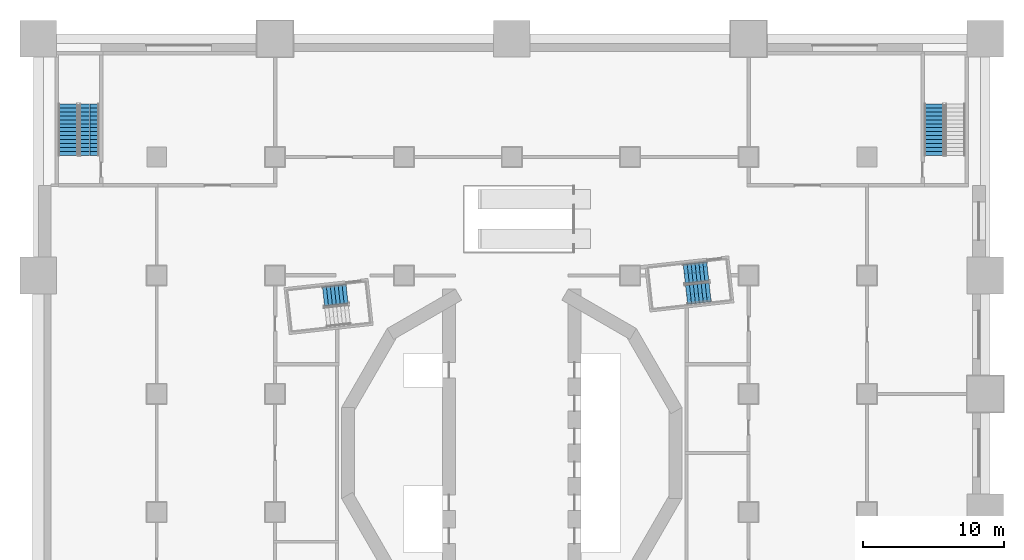
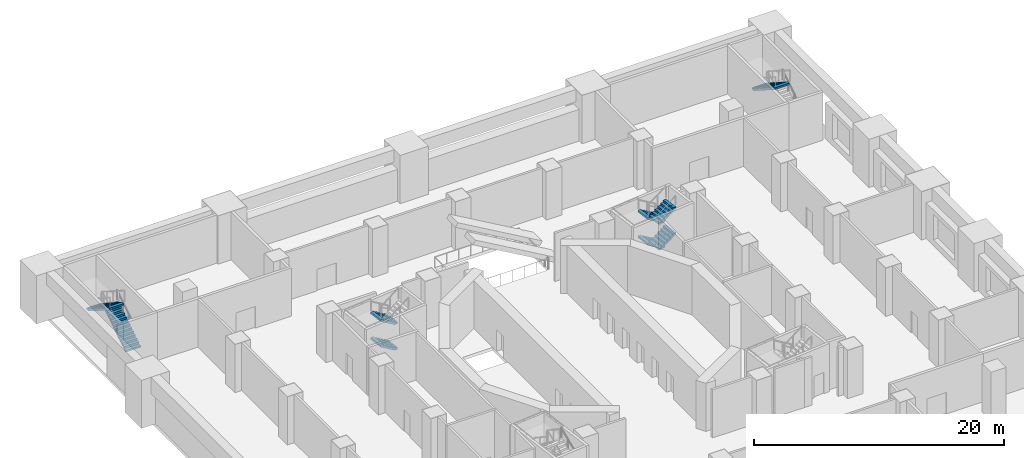
# One storey, part 7 of 18: 9 stair flights, 4 elements without a shape of their own.
"""IFC4 building model written with IfcOpenShell, lengths in metres."""

import ifcopenshell
import ifcopenshell.guid

model = None  # the IFC model being written
_history = None  # IfcOwnerHistory: only IFC2X3 demands one
_inside = {}  # id of a spatial element -> (the spatial element, [elements in it])
_under = {}  # id of a project, library or spatial element -> (it, [spatial elements below it])
_declared = {}  # id of a project -> (the project, [libraries it declares])
_typed = {}  # id of a type object -> (the type object, [elements of that type])
_made_of = {}  # id of a material, layer set ... -> (it, [elements and type objects made of it])


def new_model(schema):
    """Start an empty IFC model of exactly this schema.

    Asked for "IFC4X3", IfcOpenShell would pick the latest addendum, in which some entities
    have other attributes; the version numbers below select the first issue.
    IFC2X3 requires an IfcOwnerHistory on every rooted entity: one is made here for all.
    """
    global model, _history
    if schema == "IFC4X3":
        model = ifcopenshell.file(schema_version=(4, 3, 0, 0))
    else:
        model = ifcopenshell.file(schema=schema)
    _inside.clear()
    _under.clear()
    _declared.clear()
    _typed.clear()
    _made_of.clear()
    _history = None
    if model.schema == "IFC2X3":
        org = make("IfcOrganization", Name="unknown")
        user = make(
            "IfcPersonAndOrganization",
            ThePerson=make("IfcPerson", FamilyName="unknown"),
            TheOrganization=org,
        )
        app = make(
            "IfcApplication",
            ApplicationDeveloper=org,
            Version="unknown",
            ApplicationFullName="unknown",
            ApplicationIdentifier="unknown",
        )
        _history = make(
            "IfcOwnerHistory",
            OwningUser=user,
            OwningApplication=app,
            ChangeAction="ADDED",
            CreationDate=0,
        )
    return model


def make(cls, **values):
    """One entity of the class cls with the attributes given. An attribute that is None is left unset."""
    return model.create_entity(
        cls, **{name: value for name, value in values.items() if value is not None}
    )


def rooted(cls, **values):
    """An entity with a GlobalId (a new one), such as an element, a storey or a relation."""
    return make(cls, GlobalId=ifcopenshell.guid.new(), OwnerHistory=_history, **values)


def si_unit(unit_type, name, prefix=None):
    """IfcSIUnit, for example si_unit("LENGTHUNIT", "METRE", prefix="MILLI")."""
    return make("IfcSIUnit", UnitType=unit_type, Prefix=prefix, Name=name)


def assignment(units):
    """IfcUnitAssignment: the units of a project."""
    return None if units is None else make("IfcUnitAssignment", Units=units)


def point(xyz):
    """IfcCartesianPoint."""
    return None if xyz is None else make("IfcCartesianPoint", Coordinates=xyz)


def direction(xyz):
    """IfcDirection."""
    return None if xyz is None else make("IfcDirection", DirectionRatios=xyz)


def frame(location, z_axis=None, x_axis=None):
    """IfcAxis2Placement3D, a coordinate frame: its origin and axes. An axis left out is left unset."""
    return make(
        "IfcAxis2Placement3D",
        Location=point(location),
        Axis=direction(z_axis),
        RefDirection=direction(x_axis),
    )


def origin():
    """The frame at (0, 0, 0) with its axes left unset."""
    return frame((0.0, 0.0, 0.0))


def place(relative_to, where):
    """IfcLocalPlacement: puts the frame where relative to a parent placement (None: the world)."""
    return make(
        "IfcLocalPlacement", PlacementRelTo=relative_to, RelativePlacement=where
    )


def context(
    kind, dimensions, precision=None, world=None, true_north=None, identifier=None
):
    """IfcGeometricRepresentationContext, for example the 3D "Model" context."""
    return make(
        "IfcGeometricRepresentationContext",
        ContextIdentifier=identifier,
        ContextType=kind,
        CoordinateSpaceDimension=dimensions,
        Precision=precision,
        WorldCoordinateSystem=world,
        TrueNorth=true_north,
    )


def subcontext(parent, identifier, kind, view, scale=None):
    """IfcGeometricRepresentationSubContext, for example "Body" below "Model"."""
    return make(
        "IfcGeometricRepresentationSubContext",
        ContextIdentifier=identifier,
        ContextType=kind,
        ParentContext=parent,
        TargetScale=scale,
        TargetView=view,
    )


def project(units=None, contexts=None):
    """IfcProject with its units and contexts."""
    return rooted(
        "IfcProject",
        Name="project",
        RepresentationContexts=contexts,
        UnitsInContext=assignment(units),
    )


def spatial(cls, under=None, at=None, **own):
    """A site, building, storey or space (cls), placed at a placement, below another one or the project."""
    s = rooted(cls, ObjectPlacement=at, **own)
    if under is not None:
        _under.setdefault(under.id(), (under, []))[1].append(s)
    return s


def polyline(points):
    """IfcPolyline through the points."""
    return make("IfcPolyline", Points=[point(p) for p in points])


def outline(outer, holes=None, kind="AREA"):
    """IfcArbitraryClosedProfileDef: a profile drawn as a closed curve; with holes, ...WithVoids."""
    if holes is None:
        return make("IfcArbitraryClosedProfileDef", ProfileType=kind, OuterCurve=outer)
    return make(
        "IfcArbitraryProfileDefWithVoids",
        ProfileType=kind,
        OuterCurve=outer,
        InnerCurves=holes,
    )


def extrude(swept, where, along, depth):
    """IfcExtrudedAreaSolid: the profile swept, set in the frame where, extruded along a direction by depth."""
    return make(
        "IfcExtrudedAreaSolid",
        SweptArea=swept,
        Position=where,
        ExtrudedDirection=direction(along),
        Depth=depth,
    )


def shape(context_of_items, identifier, shape_type, items):
    """IfcShapeRepresentation: the items that make up one representation, for example the "Body"."""
    return make(
        "IfcShapeRepresentation",
        ContextOfItems=context_of_items,
        RepresentationIdentifier=identifier,
        RepresentationType=shape_type,
        Items=items,
    )


def material(Name=None, Category=None):
    """IfcMaterial."""
    return make("IfcMaterial", Name=Name, Category=Category)


def made_of(thing, what):
    """Note that an element or type object is made of a material, layer set ...; save() writes the relation."""
    if what is not None:
        _made_of.setdefault(what.id(), (what, []))[1].append(thing)
    return thing


def type_object(cls, material=None, **own):
    """A type object (cls), such as IfcWallType, which elements share."""
    return made_of(rooted(cls, **own), material)


def element(
    cls,
    number,
    at=None,
    inside=None,
    cuts=None,
    type_object=None,
    material=None,
    context=None,
    identifier="Body",
    shape_type=None,
    held_by="IfcProductDefinitionShape",
    body=None,
    shapes=None,
    **own,
):
    """One element of the class cls, such as IfcWall. Its Tag is "e" and its number.

    at: its placement. inside: the storey or other place that contains it. cuts: it is an
    opening in that element (IfcRelVoidsElement). A single representation is given by context,
    identifier, shape_type and body (its items); several are given by shapes. held_by: the class
    of the entity that holds the representations. save() writes the other relations.
    """
    e = rooted(cls, Tag="e%d" % number, ObjectPlacement=at, **own)
    if body is not None:
        shapes = [shape(context, identifier, shape_type, body)]
    if shapes is not None:
        e.Representation = make(held_by, Representations=shapes)
    if inside is not None:
        _inside.setdefault(inside.id(), (inside, []))[1].append(e)
    if cuts is not None:
        rooted(
            "IfcRelVoidsElement", RelatingBuildingElement=cuts, RelatedOpeningElement=e
        )
    if type_object is not None:
        _typed.setdefault(type_object.id(), (type_object, []))[1].append(e)
    return made_of(e, material)


def aggregate(whole, parts):
    """IfcRelAggregates: a whole, such as a stair, and the parts it consists of."""
    return rooted("IfcRelAggregates", RelatingObject=whole, RelatedObjects=parts)


def save(model, path):
    """Write the relations noted so far, then the file.

    IfcRelAggregates (storeys below a building ...), IfcRelContainedInSpatialStructure (elements
    in a storey), IfcRelDefinesByType, IfcRelAssociatesMaterial and IfcRelDeclares: one each for
    every whole, place, type object, material and project.
    """
    for whole, parts in _under.values():
        aggregate(whole, parts)
    for where, things in _inside.values():
        rooted(
            "IfcRelContainedInSpatialStructure",
            RelatedElements=things,
            RelatingStructure=where,
        )
    for kind, things in _typed.values():
        rooted("IfcRelDefinesByType", RelatedObjects=things, RelatingType=kind)
    for what, things in _made_of.values():
        rooted("IfcRelAssociatesMaterial", RelatedObjects=things, RelatingMaterial=what)
    for by, libraries in _declared.values():
        rooted("IfcRelDeclares", RelatingContext=by, RelatedDefinitions=libraries)
    model.write(path)


model = new_model("IFC4")

# Units and contexts
model_context = context("Model", 3, precision=1e-05, world=origin(), true_north=direction((0.0, 1.0)))
body_context = subcontext(model_context, "Body", "Model", "MODEL_VIEW")
ifc_project = project(units=[si_unit("LENGTHUNIT", "METRE"), si_unit("AREAUNIT", "SQUARE_METRE"), si_unit("VOLUMEUNIT", "CUBIC_METRE"), si_unit("PLANEANGLEUNIT", "RADIAN"), si_unit("MASSUNIT", "GRAM", prefix="KILO")], contexts=[model_context])

# Site, building, storey
site_placement = place(None, origin())
site = spatial("IfcSite", under=ifc_project, at=site_placement, CompositionType="ELEMENT")
building_placement = place(site_placement, origin())
building = spatial("IfcBuilding", under=site, at=building_placement, Name="Cantera Rosa Tower", CompositionType="ELEMENT")
storey_placement = place(building_placement, frame((0.0, 0.0, 17.0)))
storey = spatial("IfcBuildingStorey", under=building, at=storey_placement, Name="L02", CompositionType="ELEMENT", Elevation=17.0)

# Stair, stair flights
ifc_material_1 = material(Name="Concrete C35/45", Category="concrete")
stair_type_1 = type_object("IfcStairType", Name="EXIT STAIR 1350 DOGLEG", PredefinedType="HALF_TURN_STAIR", material=ifc_material_1)
stair_1_placement = place(storey_placement, origin())
stair_1 = element("IfcStair", 1, at=stair_1_placement, inside=storey, type_object=stair_type_1, Name="L02 ST-11", PredefinedType="HALF_TURN_STAIR")
ifc_material_2 = material(Name="Concrete C35/45", Category="concrete")
stair_flight_type_1 = type_object("IfcStairFlightType", Name="STAIR FLIGHT 1350 R28x179", PredefinedType="STRAIGHT", material=ifc_material_2)
stair_flight_1_placement = place(storey_placement, frame((13.90869140625, 12.89990234375, 0.0), z_axis=(0.0, 0.0, 1.0), x_axis=(-0.993896947056, -0.110312549749, 0.0)))
stair_flight_1 = element("IfcStairFlight", 2, at=stair_flight_1_placement, type_object=stair_flight_type_1, Name="ST-11 flight 1", NumberOfRisers=7, NumberOfTreads=6, PredefinedType="STRAIGHT", RiserHeight=0.178571429, TreadLength=0.28, context=body_context, shape_type="SweptSolid", body=[
    extrude(outline(polyline([(0.0, 0.0), (0.0, 0.178466796875), (0.280029296875, 0.178466796875), (0.280029296875, 0.357177734375), (0.56005859375, 0.357177734375), (0.56005859375, 0.53564453125), (0.840087890625, 0.53564453125), (0.840087890625, 0.71435546875), (1.1201171875, 0.71435546875), (1.1201171875, 0.892822265625), (1.39990234375, 0.892822265625), (1.39990234375, 1.071533203125), (1.679931640625, 1.071533203125), (1.679931640625, 1.25), (1.679931640625, 0.8935546875), (0.27880859375, 0.0), (0.0, 0.0)])), frame((0.0, 0.675048828125, 0.0), z_axis=(0.0, -1.0, 0.0), x_axis=(1.0, 0.0, 0.0)), (0.0, 0.0, 1.0), 0.3359375),
    extrude(outline(polyline([(0.0, 0.0), (0.0, 0.178466796875), (0.280029296875, 0.178466796875), (0.280029296875, 0.357177734375), (0.56005859375, 0.357177734375), (0.56005859375, 0.53564453125), (0.840087890625, 0.53564453125), (0.840087890625, 0.71435546875), (1.1201171875, 0.71435546875), (1.1201171875, 0.892822265625), (1.39990234375, 0.892822265625), (1.39990234375, 1.071533203125), (1.679931640625, 1.071533203125), (1.679931640625, 1.25), (1.679931640625, 0.8935546875), (0.27880859375, 0.0), (0.0, 0.0)])), frame((0.0, 0.337158203125, 0.0), z_axis=(0.0, -1.0, 0.0), x_axis=(1.0, 0.0, 0.0)), (0.0, 0.0, 1.0), 0.3359375),
    extrude(outline(polyline([(0.0, 0.0), (0.0, 0.178466796875), (0.280029296875, 0.178466796875), (0.280029296875, 0.357177734375), (0.56005859375, 0.357177734375), (0.56005859375, 0.53564453125), (0.840087890625, 0.53564453125), (0.840087890625, 0.71435546875), (1.1201171875, 0.71435546875), (1.1201171875, 0.892822265625), (1.39990234375, 0.892822265625), (1.39990234375, 1.071533203125), (1.679931640625, 1.071533203125), (1.679931640625, 1.25), (1.679931640625, 0.8935546875), (0.27880859375, 0.0), (0.0, 0.0)])), frame((0.0, -0.000732421875, 0.0), z_axis=(0.0, -1.0, 0.0), x_axis=(1.0, 0.0, 0.0)), (0.0, 0.0, 1.0), 0.3359375),
    extrude(outline(polyline([(0.0, 0.0), (0.0, 0.178466796875), (0.280029296875, 0.178466796875), (0.280029296875, 0.357177734375), (0.56005859375, 0.357177734375), (0.56005859375, 0.53564453125), (0.840087890625, 0.53564453125), (0.840087890625, 0.71435546875), (1.1201171875, 0.71435546875), (1.1201171875, 0.892822265625), (1.39990234375, 0.892822265625), (1.39990234375, 1.071533203125), (1.679931640625, 1.071533203125), (1.679931640625, 1.25), (1.679931640625, 0.8935546875), (0.27880859375, 0.0), (0.0, 0.0)])), frame((0.0, -0.338623046875, 0.0), z_axis=(0.0, -1.0, 0.0), x_axis=(1.0, 0.0, 0.0)), (0.0, 0.0, 1.0), 0.3359375),
])
stair_flight_2_placement = place(storey_placement, frame((12.404541015625, 11.2236328125, 1.25), z_axis=(0.0, 0.0, 1.0), x_axis=(0.993896947056, 0.110312549749, 0.0)))
stair_flight_2 = element("IfcStairFlight", 3, at=stair_flight_2_placement, type_object=stair_flight_type_1, Name="ST-11 flight 2", NumberOfRisers=7, NumberOfTreads=6, PredefinedType="STRAIGHT", RiserHeight=0.178571429, TreadLength=0.28, context=body_context, shape_type="SweptSolid", body=[
    extrude(outline(polyline([(0.0, 0.0), (0.0, 0.178466796875), (0.280029296875, 0.178466796875), (0.280029296875, 0.357177734375), (0.56005859375, 0.357177734375), (0.56005859375, 0.53564453125), (0.840087890625, 0.53564453125), (0.840087890625, 0.71435546875), (1.1201171875, 0.71435546875), (1.1201171875, 0.892822265625), (1.39990234375, 0.892822265625), (1.39990234375, 1.071533203125), (1.679931640625, 1.071533203125), (1.679931640625, 1.25), (1.679931640625, 0.8935546875), (0.27880859375, 0.0), (0.0, 0.0)])), frame((0.0, 0.675048828125, 0.0), z_axis=(0.0, -1.0, 0.0), x_axis=(1.0, 0.0, 0.0)), (0.0, 0.0, 1.0), 0.3359375),
    extrude(outline(polyline([(0.0, 0.0), (0.0, 0.178466796875), (0.280029296875, 0.178466796875), (0.280029296875, 0.357177734375), (0.56005859375, 0.357177734375), (0.56005859375, 0.53564453125), (0.840087890625, 0.53564453125), (0.840087890625, 0.71435546875), (1.1201171875, 0.71435546875), (1.1201171875, 0.892822265625), (1.39990234375, 0.892822265625), (1.39990234375, 1.071533203125), (1.679931640625, 1.071533203125), (1.679931640625, 1.25), (1.679931640625, 0.8935546875), (0.27880859375, 0.0), (0.0, 0.0)])), frame((0.0, 0.337158203125, 0.0), z_axis=(0.0, -1.0, 0.0), x_axis=(1.0, 0.0, 0.0)), (0.0, 0.0, 1.0), 0.3359375),
    extrude(outline(polyline([(0.0, 0.0), (0.0, 0.178466796875), (0.280029296875, 0.178466796875), (0.280029296875, 0.357177734375), (0.56005859375, 0.357177734375), (0.56005859375, 0.53564453125), (0.840087890625, 0.53564453125), (0.840087890625, 0.71435546875), (1.1201171875, 0.71435546875), (1.1201171875, 0.892822265625), (1.39990234375, 0.892822265625), (1.39990234375, 1.071533203125), (1.679931640625, 1.071533203125), (1.679931640625, 1.25), (1.679931640625, 0.8935546875), (0.27880859375, 0.0), (0.0, 0.0)])), frame((0.0, -0.000732421875, 0.0), z_axis=(0.0, -1.0, 0.0), x_axis=(1.0, 0.0, 0.0)), (0.0, 0.0, 1.0), 0.3359375),
    extrude(outline(polyline([(0.0, 0.0), (0.0, 0.178466796875), (0.280029296875, 0.178466796875), (0.280029296875, 0.357177734375), (0.56005859375, 0.357177734375), (0.56005859375, 0.53564453125), (0.840087890625, 0.53564453125), (0.840087890625, 0.71435546875), (1.1201171875, 0.71435546875), (1.1201171875, 0.892822265625), (1.39990234375, 0.892822265625), (1.39990234375, 1.071533203125), (1.679931640625, 1.071533203125), (1.679931640625, 1.25), (1.679931640625, 0.8935546875), (0.27880859375, 0.0), (0.0, 0.0)])), frame((0.0, -0.338623046875, 0.0), z_axis=(0.0, -1.0, 0.0), x_axis=(1.0, 0.0, 0.0)), (0.0, 0.0, 1.0), 0.3359375),
])
stair_flight_3_placement = place(storey_placement, frame((13.90869140625, 12.89990234375, 2.5), z_axis=(0.0, 0.0, 1.0), x_axis=(-0.993896947056, -0.110312549749, 0.0)))
stair_flight_3 = element("IfcStairFlight", 4, at=stair_flight_3_placement, type_object=stair_flight_type_1, Name="ST-11 flight 3", NumberOfRisers=7, NumberOfTreads=6, PredefinedType="STRAIGHT", RiserHeight=0.178571429, TreadLength=0.28, context=body_context, shape_type="SweptSolid", body=[
    extrude(outline(polyline([(0.0, 0.0), (0.0, 0.178466796875), (0.280029296875, 0.178466796875), (0.280029296875, 0.357177734375), (0.56005859375, 0.357177734375), (0.56005859375, 0.53564453125), (0.840087890625, 0.53564453125), (0.840087890625, 0.71435546875), (1.1201171875, 0.71435546875), (1.1201171875, 0.892822265625), (1.39990234375, 0.892822265625), (1.39990234375, 1.071533203125), (1.679931640625, 1.071533203125), (1.679931640625, 1.25), (1.679931640625, 0.8935546875), (0.27880859375, 0.0), (0.0, 0.0)])), frame((0.0, 0.675048828125, 0.0), z_axis=(0.0, -1.0, 0.0), x_axis=(1.0, 0.0, 0.0)), (0.0, 0.0, 1.0), 0.3359375),
    extrude(outline(polyline([(0.0, 0.0), (0.0, 0.178466796875), (0.280029296875, 0.178466796875), (0.280029296875, 0.357177734375), (0.56005859375, 0.357177734375), (0.56005859375, 0.53564453125), (0.840087890625, 0.53564453125), (0.840087890625, 0.71435546875), (1.1201171875, 0.71435546875), (1.1201171875, 0.892822265625), (1.39990234375, 0.892822265625), (1.39990234375, 1.071533203125), (1.679931640625, 1.071533203125), (1.679931640625, 1.25), (1.679931640625, 0.8935546875), (0.27880859375, 0.0), (0.0, 0.0)])), frame((0.0, 0.337158203125, 0.0), z_axis=(0.0, -1.0, 0.0), x_axis=(1.0, 0.0, 0.0)), (0.0, 0.0, 1.0), 0.3359375),
    extrude(outline(polyline([(0.0, 0.0), (0.0, 0.178466796875), (0.280029296875, 0.178466796875), (0.280029296875, 0.357177734375), (0.56005859375, 0.357177734375), (0.56005859375, 0.53564453125), (0.840087890625, 0.53564453125), (0.840087890625, 0.71435546875), (1.1201171875, 0.71435546875), (1.1201171875, 0.892822265625), (1.39990234375, 0.892822265625), (1.39990234375, 1.071533203125), (1.679931640625, 1.071533203125), (1.679931640625, 1.25), (1.679931640625, 0.8935546875), (0.27880859375, 0.0), (0.0, 0.0)])), frame((0.0, -0.000732421875, 0.0), z_axis=(0.0, -1.0, 0.0), x_axis=(1.0, 0.0, 0.0)), (0.0, 0.0, 1.0), 0.3359375),
    extrude(outline(polyline([(0.0, 0.0), (0.0, 0.178466796875), (0.280029296875, 0.178466796875), (0.280029296875, 0.357177734375), (0.56005859375, 0.357177734375), (0.56005859375, 0.53564453125), (0.840087890625, 0.53564453125), (0.840087890625, 0.71435546875), (1.1201171875, 0.71435546875), (1.1201171875, 0.892822265625), (1.39990234375, 0.892822265625), (1.39990234375, 1.071533203125), (1.679931640625, 1.071533203125), (1.679931640625, 1.25), (1.679931640625, 0.8935546875), (0.27880859375, 0.0), (0.0, 0.0)])), frame((0.0, -0.338623046875, 0.0), z_axis=(0.0, -1.0, 0.0), x_axis=(1.0, 0.0, 0.0)), (0.0, 0.0, 1.0), 0.3359375),
])
stair_flight_4_placement = place(storey_placement, frame((12.404541015625, 11.2236328125, 3.75), z_axis=(0.0, 0.0, 1.0), x_axis=(0.993896947056, 0.110312549749, 0.0)))
stair_flight_4 = element("IfcStairFlight", 5, at=stair_flight_4_placement, type_object=stair_flight_type_1, Name="ST-11 flight 4", NumberOfRisers=7, NumberOfTreads=6, PredefinedType="STRAIGHT", RiserHeight=0.178571429, TreadLength=0.28, context=body_context, shape_type="SweptSolid", body=[
    extrude(outline(polyline([(0.0, 0.0), (0.0, 0.178466796875), (0.280029296875, 0.178466796875), (0.280029296875, 0.357177734375), (0.56005859375, 0.357177734375), (0.56005859375, 0.53564453125), (0.840087890625, 0.53564453125), (0.840087890625, 0.71435546875), (1.1201171875, 0.71435546875), (1.1201171875, 0.892822265625), (1.39990234375, 0.892822265625), (1.39990234375, 1.071533203125), (1.679931640625, 1.071533203125), (1.679931640625, 1.25), (1.679931640625, 0.8935546875), (0.27880859375, 0.0), (0.0, 0.0)])), frame((0.0, 0.675048828125, 0.0), z_axis=(0.0, -1.0, 0.0), x_axis=(1.0, 0.0, 0.0)), (0.0, 0.0, 1.0), 0.3359375),
    extrude(outline(polyline([(0.0, 0.0), (0.0, 0.178466796875), (0.280029296875, 0.178466796875), (0.280029296875, 0.357177734375), (0.56005859375, 0.357177734375), (0.56005859375, 0.53564453125), (0.840087890625, 0.53564453125), (0.840087890625, 0.71435546875), (1.1201171875, 0.71435546875), (1.1201171875, 0.892822265625), (1.39990234375, 0.892822265625), (1.39990234375, 1.071533203125), (1.679931640625, 1.071533203125), (1.679931640625, 1.25), (1.679931640625, 0.8935546875), (0.27880859375, 0.0), (0.0, 0.0)])), frame((0.0, 0.337158203125, 0.0), z_axis=(0.0, -1.0, 0.0), x_axis=(1.0, 0.0, 0.0)), (0.0, 0.0, 1.0), 0.3359375),
    extrude(outline(polyline([(0.0, 0.0), (0.0, 0.178466796875), (0.280029296875, 0.178466796875), (0.280029296875, 0.357177734375), (0.56005859375, 0.357177734375), (0.56005859375, 0.53564453125), (0.840087890625, 0.53564453125), (0.840087890625, 0.71435546875), (1.1201171875, 0.71435546875), (1.1201171875, 0.892822265625), (1.39990234375, 0.892822265625), (1.39990234375, 1.071533203125), (1.679931640625, 1.071533203125), (1.679931640625, 1.25), (1.679931640625, 0.8935546875), (0.27880859375, 0.0), (0.0, 0.0)])), frame((0.0, -0.000732421875, 0.0), z_axis=(0.0, -1.0, 0.0), x_axis=(1.0, 0.0, 0.0)), (0.0, 0.0, 1.0), 0.3359375),
    extrude(outline(polyline([(0.0, 0.0), (0.0, 0.178466796875), (0.280029296875, 0.178466796875), (0.280029296875, 0.357177734375), (0.56005859375, 0.357177734375), (0.56005859375, 0.53564453125), (0.840087890625, 0.53564453125), (0.840087890625, 0.71435546875), (1.1201171875, 0.71435546875), (1.1201171875, 0.892822265625), (1.39990234375, 0.892822265625), (1.39990234375, 1.071533203125), (1.679931640625, 1.071533203125), (1.679931640625, 1.25), (1.679931640625, 0.8935546875), (0.27880859375, 0.0), (0.0, 0.0)])), frame((0.0, -0.338623046875, 0.0), z_axis=(0.0, -1.0, 0.0), x_axis=(1.0, 0.0, 0.0)), (0.0, 0.0, 1.0), 0.3359375),
])
aggregate(stair_1, [stair_flight_1, stair_flight_2, stair_flight_3, stair_flight_4])

stair_2_placement = place(storey_placement, origin())
stair_2 = element("IfcStair", 6, at=stair_2_placement, inside=storey, type_object=stair_type_1, Name="L02 ST-12", PredefinedType="HALF_TURN_STAIR")
stair_flight_5_placement = place(storey_placement, frame((-11.691162109375, 11.2998046875, 0.0), z_axis=(0.0, 0.0, 1.0), x_axis=(-0.993896947056, -0.110312549749, 0.0)))
stair_flight_5 = element("IfcStairFlight", 7, at=stair_flight_5_placement, type_object=stair_flight_type_1, Name="ST-12 flight 1", NumberOfRisers=7, NumberOfTreads=6, PredefinedType="STRAIGHT", RiserHeight=0.178571429, TreadLength=0.28, context=body_context, shape_type="SweptSolid", body=[
    extrude(outline(polyline([(0.0, 0.0), (0.0, 0.178466796875), (0.280029296875, 0.178466796875), (0.280029296875, 0.357177734375), (0.56005859375, 0.357177734375), (0.56005859375, 0.53564453125), (0.840087890625, 0.53564453125), (0.840087890625, 0.71435546875), (1.1201171875, 0.71435546875), (1.1201171875, 0.892822265625), (1.39990234375, 0.892822265625), (1.39990234375, 1.071533203125), (1.679931640625, 1.071533203125), (1.679931640625, 1.25), (1.679931640625, 0.8935546875), (0.27880859375, 0.0), (0.0, 0.0)])), frame((0.0, 0.675048828125, 0.0), z_axis=(0.0, -1.0, 0.0), x_axis=(1.0, 0.0, 0.0)), (0.0, 0.0, 1.0), 0.3359375),
    extrude(outline(polyline([(0.0, 0.0), (0.0, 0.178466796875), (0.280029296875, 0.178466796875), (0.280029296875, 0.357177734375), (0.56005859375, 0.357177734375), (0.56005859375, 0.53564453125), (0.840087890625, 0.53564453125), (0.840087890625, 0.71435546875), (1.1201171875, 0.71435546875), (1.1201171875, 0.892822265625), (1.39990234375, 0.892822265625), (1.39990234375, 1.071533203125), (1.679931640625, 1.071533203125), (1.679931640625, 1.25), (1.679931640625, 0.8935546875), (0.27880859375, 0.0), (0.0, 0.0)])), frame((0.0, 0.337158203125, 0.0), z_axis=(0.0, -1.0, 0.0), x_axis=(1.0, 0.0, 0.0)), (0.0, 0.0, 1.0), 0.3359375),
    extrude(outline(polyline([(0.0, 0.0), (0.0, 0.178466796875), (0.280029296875, 0.178466796875), (0.280029296875, 0.357177734375), (0.56005859375, 0.357177734375), (0.56005859375, 0.53564453125), (0.840087890625, 0.53564453125), (0.840087890625, 0.71435546875), (1.1201171875, 0.71435546875), (1.1201171875, 0.892822265625), (1.39990234375, 0.892822265625), (1.39990234375, 1.071533203125), (1.679931640625, 1.071533203125), (1.679931640625, 1.25), (1.679931640625, 0.8935546875), (0.27880859375, 0.0), (0.0, 0.0)])), frame((0.0, -0.000732421875, 0.0), z_axis=(0.0, -1.0, 0.0), x_axis=(1.0, 0.0, 0.0)), (0.0, 0.0, 1.0), 0.3359375),
    extrude(outline(polyline([(0.0, 0.0), (0.0, 0.178466796875), (0.280029296875, 0.178466796875), (0.280029296875, 0.357177734375), (0.56005859375, 0.357177734375), (0.56005859375, 0.53564453125), (0.840087890625, 0.53564453125), (0.840087890625, 0.71435546875), (1.1201171875, 0.71435546875), (1.1201171875, 0.892822265625), (1.39990234375, 0.892822265625), (1.39990234375, 1.071533203125), (1.679931640625, 1.071533203125), (1.679931640625, 1.25), (1.679931640625, 0.8935546875), (0.27880859375, 0.0), (0.0, 0.0)])), frame((0.0, -0.338623046875, 0.0), z_axis=(0.0, -1.0, 0.0), x_axis=(1.0, 0.0, 0.0)), (0.0, 0.0, 1.0), 0.3359375),
])
stair_flight_6_placement = place(storey_placement, frame((-11.691162109375, 11.2998046875, 2.5), z_axis=(0.0, 0.0, 1.0), x_axis=(-0.993896947056, -0.110312549749, 0.0)))
stair_flight_6 = element("IfcStairFlight", 8, at=stair_flight_6_placement, type_object=stair_flight_type_1, Name="ST-12 flight 3", NumberOfRisers=7, NumberOfTreads=6, PredefinedType="STRAIGHT", RiserHeight=0.178571429, TreadLength=0.28, context=body_context, shape_type="SweptSolid", body=[
    extrude(outline(polyline([(0.0, 0.0), (0.0, 0.178466796875), (0.280029296875, 0.178466796875), (0.280029296875, 0.357177734375), (0.56005859375, 0.357177734375), (0.56005859375, 0.53564453125), (0.840087890625, 0.53564453125), (0.840087890625, 0.71435546875), (1.1201171875, 0.71435546875), (1.1201171875, 0.892822265625), (1.39990234375, 0.892822265625), (1.39990234375, 1.071533203125), (1.679931640625, 1.071533203125), (1.679931640625, 1.25), (1.679931640625, 0.8935546875), (0.27880859375, 0.0), (0.0, 0.0)])), frame((0.0, 0.675048828125, 0.0), z_axis=(0.0, -1.0, 0.0), x_axis=(1.0, 0.0, 0.0)), (0.0, 0.0, 1.0), 0.3359375),
    extrude(outline(polyline([(0.0, 0.0), (0.0, 0.178466796875), (0.280029296875, 0.178466796875), (0.280029296875, 0.357177734375), (0.56005859375, 0.357177734375), (0.56005859375, 0.53564453125), (0.840087890625, 0.53564453125), (0.840087890625, 0.71435546875), (1.1201171875, 0.71435546875), (1.1201171875, 0.892822265625), (1.39990234375, 0.892822265625), (1.39990234375, 1.071533203125), (1.679931640625, 1.071533203125), (1.679931640625, 1.25), (1.679931640625, 0.8935546875), (0.27880859375, 0.0), (0.0, 0.0)])), frame((0.0, 0.337158203125, 0.0), z_axis=(0.0, -1.0, 0.0), x_axis=(1.0, 0.0, 0.0)), (0.0, 0.0, 1.0), 0.3359375),
    extrude(outline(polyline([(0.0, 0.0), (0.0, 0.178466796875), (0.280029296875, 0.178466796875), (0.280029296875, 0.357177734375), (0.56005859375, 0.357177734375), (0.56005859375, 0.53564453125), (0.840087890625, 0.53564453125), (0.840087890625, 0.71435546875), (1.1201171875, 0.71435546875), (1.1201171875, 0.892822265625), (1.39990234375, 0.892822265625), (1.39990234375, 1.071533203125), (1.679931640625, 1.071533203125), (1.679931640625, 1.25), (1.679931640625, 0.8935546875), (0.27880859375, 0.0), (0.0, 0.0)])), frame((0.0, -0.000732421875, 0.0), z_axis=(0.0, -1.0, 0.0), x_axis=(1.0, 0.0, 0.0)), (0.0, 0.0, 1.0), 0.3359375),
    extrude(outline(polyline([(0.0, 0.0), (0.0, 0.178466796875), (0.280029296875, 0.178466796875), (0.280029296875, 0.357177734375), (0.56005859375, 0.357177734375), (0.56005859375, 0.53564453125), (0.840087890625, 0.53564453125), (0.840087890625, 0.71435546875), (1.1201171875, 0.71435546875), (1.1201171875, 0.892822265625), (1.39990234375, 0.892822265625), (1.39990234375, 1.071533203125), (1.679931640625, 1.071533203125), (1.679931640625, 1.25), (1.679931640625, 0.8935546875), (0.27880859375, 0.0), (0.0, 0.0)])), frame((0.0, -0.338623046875, 0.0), z_axis=(0.0, -1.0, 0.0), x_axis=(1.0, 0.0, 0.0)), (0.0, 0.0, 1.0), 0.3359375),
])
aggregate(stair_2, [stair_flight_5, stair_flight_6])

# Stair, stair flight
ifc_material_3 = material(Name="Concrete C35/45", Category="concrete")
stair_type_2 = type_object("IfcStairType", Name="Stair half-turn 1350", PredefinedType="HALF_TURN_STAIR", material=ifc_material_3)
stair_3_placement = place(storey_placement, origin())
stair_3 = element("IfcStair", 9, at=stair_3_placement, inside=storey, type_object=stair_type_2, Name="L02 ST-NE", PredefinedType="HALF_TURN_STAIR")
ifc_material_4 = material(Name="Concrete C35/45", Category="concrete")
stair_flight_type_2 = type_object("IfcStairFlightType", Name="Stair flight 1350", PredefinedType="STRAIGHT", material=ifc_material_4)
stair_flight_7_placement = place(storey_placement, frame((29.949951171875, 24.764892578125, 2.5), z_axis=(0.0, 0.0, 1.0), x_axis=(0.0, -1.0, 0.0)))
stair_flight_7 = element("IfcStairFlight", 10, at=stair_flight_7_placement, type_object=stair_flight_type_2, Name="ST-NE flight 2", NumberOfRisers=14, NumberOfTreads=13, PredefinedType="STRAIGHT", RiserHeight=0.178571429, TreadLength=0.28, context=body_context, shape_type="SweptSolid", body=[
    extrude(outline(polyline([(0.0, 0.0), (0.0, 0.178466796875), (0.280029296875, 0.178466796875), (0.280029296875, 0.357177734375), (0.56005859375, 0.357177734375), (0.56005859375, 0.53564453125), (0.840087890625, 0.53564453125), (0.840087890625, 0.71435546875), (1.1201171875, 0.71435546875), (1.1201171875, 0.892822265625), (1.39990234375, 0.892822265625), (1.39990234375, 1.071533203125), (1.679931640625, 1.071533203125), (1.679931640625, 1.25), (1.9599609375, 1.25), (1.9599609375, 1.428466796875), (2.239990234375, 1.428466796875), (2.239990234375, 1.607177734375), (2.52001953125, 1.607177734375), (2.52001953125, 1.78564453125), (2.800048828125, 1.78564453125), (2.800048828125, 1.96435546875), (3.080078125, 1.96435546875), (3.080078125, 2.142822265625), (3.360107421875, 2.142822265625), (3.360107421875, 2.321533203125), (3.639892578125, 2.321533203125), (3.639892578125, 2.5), (3.639892578125, 2.1435546875), (0.27880859375, 0.0), (0.0, 0.0)])), frame((0.0, 0.675048828125, 0.0), z_axis=(0.0, -1.0, 0.0), x_axis=(1.0, 0.0, 0.0)), (0.0, 0.0, 1.0), 0.3359375),
    extrude(outline(polyline([(0.0, 0.0), (0.0, 0.178466796875), (0.280029296875, 0.178466796875), (0.280029296875, 0.357177734375), (0.56005859375, 0.357177734375), (0.56005859375, 0.53564453125), (0.840087890625, 0.53564453125), (0.840087890625, 0.71435546875), (1.1201171875, 0.71435546875), (1.1201171875, 0.892822265625), (1.39990234375, 0.892822265625), (1.39990234375, 1.071533203125), (1.679931640625, 1.071533203125), (1.679931640625, 1.25), (1.9599609375, 1.25), (1.9599609375, 1.428466796875), (2.239990234375, 1.428466796875), (2.239990234375, 1.607177734375), (2.52001953125, 1.607177734375), (2.52001953125, 1.78564453125), (2.800048828125, 1.78564453125), (2.800048828125, 1.96435546875), (3.080078125, 1.96435546875), (3.080078125, 2.142822265625), (3.360107421875, 2.142822265625), (3.360107421875, 2.321533203125), (3.639892578125, 2.321533203125), (3.639892578125, 2.5), (3.639892578125, 2.1435546875), (0.27880859375, 0.0), (0.0, 0.0)])), frame((0.0, 0.337158203125, 0.0), z_axis=(0.0, -1.0, 0.0), x_axis=(1.0, 0.0, 0.0)), (0.0, 0.0, 1.0), 0.3359375),
    extrude(outline(polyline([(0.0, 0.0), (0.0, 0.178466796875), (0.280029296875, 0.178466796875), (0.280029296875, 0.357177734375), (0.56005859375, 0.357177734375), (0.56005859375, 0.53564453125), (0.840087890625, 0.53564453125), (0.840087890625, 0.71435546875), (1.1201171875, 0.71435546875), (1.1201171875, 0.892822265625), (1.39990234375, 0.892822265625), (1.39990234375, 1.071533203125), (1.679931640625, 1.071533203125), (1.679931640625, 1.25), (1.9599609375, 1.25), (1.9599609375, 1.428466796875), (2.239990234375, 1.428466796875), (2.239990234375, 1.607177734375), (2.52001953125, 1.607177734375), (2.52001953125, 1.78564453125), (2.800048828125, 1.78564453125), (2.800048828125, 1.96435546875), (3.080078125, 1.96435546875), (3.080078125, 2.142822265625), (3.360107421875, 2.142822265625), (3.360107421875, 2.321533203125), (3.639892578125, 2.321533203125), (3.639892578125, 2.5), (3.639892578125, 2.1435546875), (0.27880859375, 0.0), (0.0, 0.0)])), frame((0.0, -0.000732421875, 0.0), z_axis=(0.0, -1.0, 0.0), x_axis=(1.0, 0.0, 0.0)), (0.0, 0.0, 1.0), 0.3359375),
    extrude(outline(polyline([(0.0, 0.0), (0.0, 0.178466796875), (0.280029296875, 0.178466796875), (0.280029296875, 0.357177734375), (0.56005859375, 0.357177734375), (0.56005859375, 0.53564453125), (0.840087890625, 0.53564453125), (0.840087890625, 0.71435546875), (1.1201171875, 0.71435546875), (1.1201171875, 0.892822265625), (1.39990234375, 0.892822265625), (1.39990234375, 1.071533203125), (1.679931640625, 1.071533203125), (1.679931640625, 1.25), (1.9599609375, 1.25), (1.9599609375, 1.428466796875), (2.239990234375, 1.428466796875), (2.239990234375, 1.607177734375), (2.52001953125, 1.607177734375), (2.52001953125, 1.78564453125), (2.800048828125, 1.78564453125), (2.800048828125, 1.96435546875), (3.080078125, 1.96435546875), (3.080078125, 2.142822265625), (3.360107421875, 2.142822265625), (3.360107421875, 2.321533203125), (3.639892578125, 2.321533203125), (3.639892578125, 2.5), (3.639892578125, 2.1435546875), (0.27880859375, 0.0), (0.0, 0.0)])), frame((0.0, -0.338623046875, 0.0), z_axis=(0.0, -1.0, 0.0), x_axis=(1.0, 0.0, 0.0)), (0.0, 0.0, 1.0), 0.3359375),
])
aggregate(stair_3, [stair_flight_7])

# Stair, stair flights
stair_4_placement = place(storey_placement, origin())
stair_4 = element("IfcStair", 11, at=stair_4_placement, inside=storey, type_object=stair_type_2, Name="L02 ST-NW", PredefinedType="HALF_TURN_STAIR")
stair_flight_8_placement = place(storey_placement, frame((-29.949951171875, 21.125, 0.0), z_axis=(0.0, 0.0, 1.0), x_axis=(0.0, 1.0, 0.0)))
stair_flight_8 = element("IfcStairFlight", 12, at=stair_flight_8_placement, type_object=stair_flight_type_2, Name="ST-NW flight 1", NumberOfRisers=14, NumberOfTreads=13, PredefinedType="STRAIGHT", RiserHeight=0.178571429, TreadLength=0.28, context=body_context, shape_type="SweptSolid", body=[
    extrude(outline(polyline([(0.0, 0.0), (0.0, 0.178466796875), (0.280029296875, 0.178466796875), (0.280029296875, 0.357177734375), (0.56005859375, 0.357177734375), (0.56005859375, 0.53564453125), (0.840087890625, 0.53564453125), (0.840087890625, 0.71435546875), (1.1201171875, 0.71435546875), (1.1201171875, 0.892822265625), (1.39990234375, 0.892822265625), (1.39990234375, 1.071533203125), (1.679931640625, 1.071533203125), (1.679931640625, 1.25), (1.9599609375, 1.25), (1.9599609375, 1.428466796875), (2.239990234375, 1.428466796875), (2.239990234375, 1.607177734375), (2.52001953125, 1.607177734375), (2.52001953125, 1.78564453125), (2.800048828125, 1.78564453125), (2.800048828125, 1.96435546875), (3.080078125, 1.96435546875), (3.080078125, 2.142822265625), (3.360107421875, 2.142822265625), (3.360107421875, 2.321533203125), (3.639892578125, 2.321533203125), (3.639892578125, 2.5), (3.639892578125, 2.1435546875), (0.27880859375, 0.0), (0.0, 0.0)])), frame((0.0, 0.675048828125, 0.0), z_axis=(0.0, -1.0, 0.0), x_axis=(1.0, 0.0, 0.0)), (0.0, 0.0, 1.0), 0.3359375),
    extrude(outline(polyline([(0.0, 0.0), (0.0, 0.178466796875), (0.280029296875, 0.178466796875), (0.280029296875, 0.357177734375), (0.56005859375, 0.357177734375), (0.56005859375, 0.53564453125), (0.840087890625, 0.53564453125), (0.840087890625, 0.71435546875), (1.1201171875, 0.71435546875), (1.1201171875, 0.892822265625), (1.39990234375, 0.892822265625), (1.39990234375, 1.071533203125), (1.679931640625, 1.071533203125), (1.679931640625, 1.25), (1.9599609375, 1.25), (1.9599609375, 1.428466796875), (2.239990234375, 1.428466796875), (2.239990234375, 1.607177734375), (2.52001953125, 1.607177734375), (2.52001953125, 1.78564453125), (2.800048828125, 1.78564453125), (2.800048828125, 1.96435546875), (3.080078125, 1.96435546875), (3.080078125, 2.142822265625), (3.360107421875, 2.142822265625), (3.360107421875, 2.321533203125), (3.639892578125, 2.321533203125), (3.639892578125, 2.5), (3.639892578125, 2.1435546875), (0.27880859375, 0.0), (0.0, 0.0)])), frame((0.0, 0.337158203125, 0.0), z_axis=(0.0, -1.0, 0.0), x_axis=(1.0, 0.0, 0.0)), (0.0, 0.0, 1.0), 0.3359375),
    extrude(outline(polyline([(0.0, 0.0), (0.0, 0.178466796875), (0.280029296875, 0.178466796875), (0.280029296875, 0.357177734375), (0.56005859375, 0.357177734375), (0.56005859375, 0.53564453125), (0.840087890625, 0.53564453125), (0.840087890625, 0.71435546875), (1.1201171875, 0.71435546875), (1.1201171875, 0.892822265625), (1.39990234375, 0.892822265625), (1.39990234375, 1.071533203125), (1.679931640625, 1.071533203125), (1.679931640625, 1.25), (1.9599609375, 1.25), (1.9599609375, 1.428466796875), (2.239990234375, 1.428466796875), (2.239990234375, 1.607177734375), (2.52001953125, 1.607177734375), (2.52001953125, 1.78564453125), (2.800048828125, 1.78564453125), (2.800048828125, 1.96435546875), (3.080078125, 1.96435546875), (3.080078125, 2.142822265625), (3.360107421875, 2.142822265625), (3.360107421875, 2.321533203125), (3.639892578125, 2.321533203125), (3.639892578125, 2.5), (3.639892578125, 2.1435546875), (0.27880859375, 0.0), (0.0, 0.0)])), frame((0.0, -0.000732421875, 0.0), z_axis=(0.0, -1.0, 0.0), x_axis=(1.0, 0.0, 0.0)), (0.0, 0.0, 1.0), 0.3359375),
    extrude(outline(polyline([(0.0, 0.0), (0.0, 0.178466796875), (0.280029296875, 0.178466796875), (0.280029296875, 0.357177734375), (0.56005859375, 0.357177734375), (0.56005859375, 0.53564453125), (0.840087890625, 0.53564453125), (0.840087890625, 0.71435546875), (1.1201171875, 0.71435546875), (1.1201171875, 0.892822265625), (1.39990234375, 0.892822265625), (1.39990234375, 1.071533203125), (1.679931640625, 1.071533203125), (1.679931640625, 1.25), (1.9599609375, 1.25), (1.9599609375, 1.428466796875), (2.239990234375, 1.428466796875), (2.239990234375, 1.607177734375), (2.52001953125, 1.607177734375), (2.52001953125, 1.78564453125), (2.800048828125, 1.78564453125), (2.800048828125, 1.96435546875), (3.080078125, 1.96435546875), (3.080078125, 2.142822265625), (3.360107421875, 2.142822265625), (3.360107421875, 2.321533203125), (3.639892578125, 2.321533203125), (3.639892578125, 2.5), (3.639892578125, 2.1435546875), (0.27880859375, 0.0), (0.0, 0.0)])), frame((0.0, -0.338623046875, 0.0), z_axis=(0.0, -1.0, 0.0), x_axis=(1.0, 0.0, 0.0)), (0.0, 0.0, 1.0), 0.3359375),
])
stair_flight_9_placement = place(storey_placement, frame((-31.5, 24.764892578125, 2.5), z_axis=(0.0, 0.0, 1.0), x_axis=(0.0, -1.0, 0.0)))
stair_flight_9 = element("IfcStairFlight", 13, at=stair_flight_9_placement, type_object=stair_flight_type_2, Name="ST-NW flight 2", NumberOfRisers=14, NumberOfTreads=13, PredefinedType="STRAIGHT", RiserHeight=0.178571429, TreadLength=0.28, context=body_context, shape_type="SweptSolid", body=[
    extrude(outline(polyline([(0.0, 0.0), (0.0, 0.178466796875), (0.280029296875, 0.178466796875), (0.280029296875, 0.357177734375), (0.56005859375, 0.357177734375), (0.56005859375, 0.53564453125), (0.840087890625, 0.53564453125), (0.840087890625, 0.71435546875), (1.1201171875, 0.71435546875), (1.1201171875, 0.892822265625), (1.39990234375, 0.892822265625), (1.39990234375, 1.071533203125), (1.679931640625, 1.071533203125), (1.679931640625, 1.25), (1.9599609375, 1.25), (1.9599609375, 1.428466796875), (2.239990234375, 1.428466796875), (2.239990234375, 1.607177734375), (2.52001953125, 1.607177734375), (2.52001953125, 1.78564453125), (2.800048828125, 1.78564453125), (2.800048828125, 1.96435546875), (3.080078125, 1.96435546875), (3.080078125, 2.142822265625), (3.360107421875, 2.142822265625), (3.360107421875, 2.321533203125), (3.639892578125, 2.321533203125), (3.639892578125, 2.5), (3.639892578125, 2.1435546875), (0.27880859375, 0.0), (0.0, 0.0)])), frame((0.0, 0.675048828125, 0.0), z_axis=(0.0, -1.0, 0.0), x_axis=(1.0, 0.0, 0.0)), (0.0, 0.0, 1.0), 0.3359375),
    extrude(outline(polyline([(0.0, 0.0), (0.0, 0.178466796875), (0.280029296875, 0.178466796875), (0.280029296875, 0.357177734375), (0.56005859375, 0.357177734375), (0.56005859375, 0.53564453125), (0.840087890625, 0.53564453125), (0.840087890625, 0.71435546875), (1.1201171875, 0.71435546875), (1.1201171875, 0.892822265625), (1.39990234375, 0.892822265625), (1.39990234375, 1.071533203125), (1.679931640625, 1.071533203125), (1.679931640625, 1.25), (1.9599609375, 1.25), (1.9599609375, 1.428466796875), (2.239990234375, 1.428466796875), (2.239990234375, 1.607177734375), (2.52001953125, 1.607177734375), (2.52001953125, 1.78564453125), (2.800048828125, 1.78564453125), (2.800048828125, 1.96435546875), (3.080078125, 1.96435546875), (3.080078125, 2.142822265625), (3.360107421875, 2.142822265625), (3.360107421875, 2.321533203125), (3.639892578125, 2.321533203125), (3.639892578125, 2.5), (3.639892578125, 2.1435546875), (0.27880859375, 0.0), (0.0, 0.0)])), frame((0.0, 0.337158203125, 0.0), z_axis=(0.0, -1.0, 0.0), x_axis=(1.0, 0.0, 0.0)), (0.0, 0.0, 1.0), 0.3359375),
    extrude(outline(polyline([(0.0, 0.0), (0.0, 0.178466796875), (0.280029296875, 0.178466796875), (0.280029296875, 0.357177734375), (0.56005859375, 0.357177734375), (0.56005859375, 0.53564453125), (0.840087890625, 0.53564453125), (0.840087890625, 0.71435546875), (1.1201171875, 0.71435546875), (1.1201171875, 0.892822265625), (1.39990234375, 0.892822265625), (1.39990234375, 1.071533203125), (1.679931640625, 1.071533203125), (1.679931640625, 1.25), (1.9599609375, 1.25), (1.9599609375, 1.428466796875), (2.239990234375, 1.428466796875), (2.239990234375, 1.607177734375), (2.52001953125, 1.607177734375), (2.52001953125, 1.78564453125), (2.800048828125, 1.78564453125), (2.800048828125, 1.96435546875), (3.080078125, 1.96435546875), (3.080078125, 2.142822265625), (3.360107421875, 2.142822265625), (3.360107421875, 2.321533203125), (3.639892578125, 2.321533203125), (3.639892578125, 2.5), (3.639892578125, 2.1435546875), (0.27880859375, 0.0), (0.0, 0.0)])), frame((0.0, -0.000732421875, 0.0), z_axis=(0.0, -1.0, 0.0), x_axis=(1.0, 0.0, 0.0)), (0.0, 0.0, 1.0), 0.3359375),
    extrude(outline(polyline([(0.0, 0.0), (0.0, 0.178466796875), (0.280029296875, 0.178466796875), (0.280029296875, 0.357177734375), (0.56005859375, 0.357177734375), (0.56005859375, 0.53564453125), (0.840087890625, 0.53564453125), (0.840087890625, 0.71435546875), (1.1201171875, 0.71435546875), (1.1201171875, 0.892822265625), (1.39990234375, 0.892822265625), (1.39990234375, 1.071533203125), (1.679931640625, 1.071533203125), (1.679931640625, 1.25), (1.9599609375, 1.25), (1.9599609375, 1.428466796875), (2.239990234375, 1.428466796875), (2.239990234375, 1.607177734375), (2.52001953125, 1.607177734375), (2.52001953125, 1.78564453125), (2.800048828125, 1.78564453125), (2.800048828125, 1.96435546875), (3.080078125, 1.96435546875), (3.080078125, 2.142822265625), (3.360107421875, 2.142822265625), (3.360107421875, 2.321533203125), (3.639892578125, 2.321533203125), (3.639892578125, 2.5), (3.639892578125, 2.1435546875), (0.27880859375, 0.0), (0.0, 0.0)])), frame((0.0, -0.338623046875, 0.0), z_axis=(0.0, -1.0, 0.0), x_axis=(1.0, 0.0, 0.0)), (0.0, 0.0, 1.0), 0.3359375),
])
aggregate(stair_4, [stair_flight_8, stair_flight_9])

save(model, "model.ifc")
